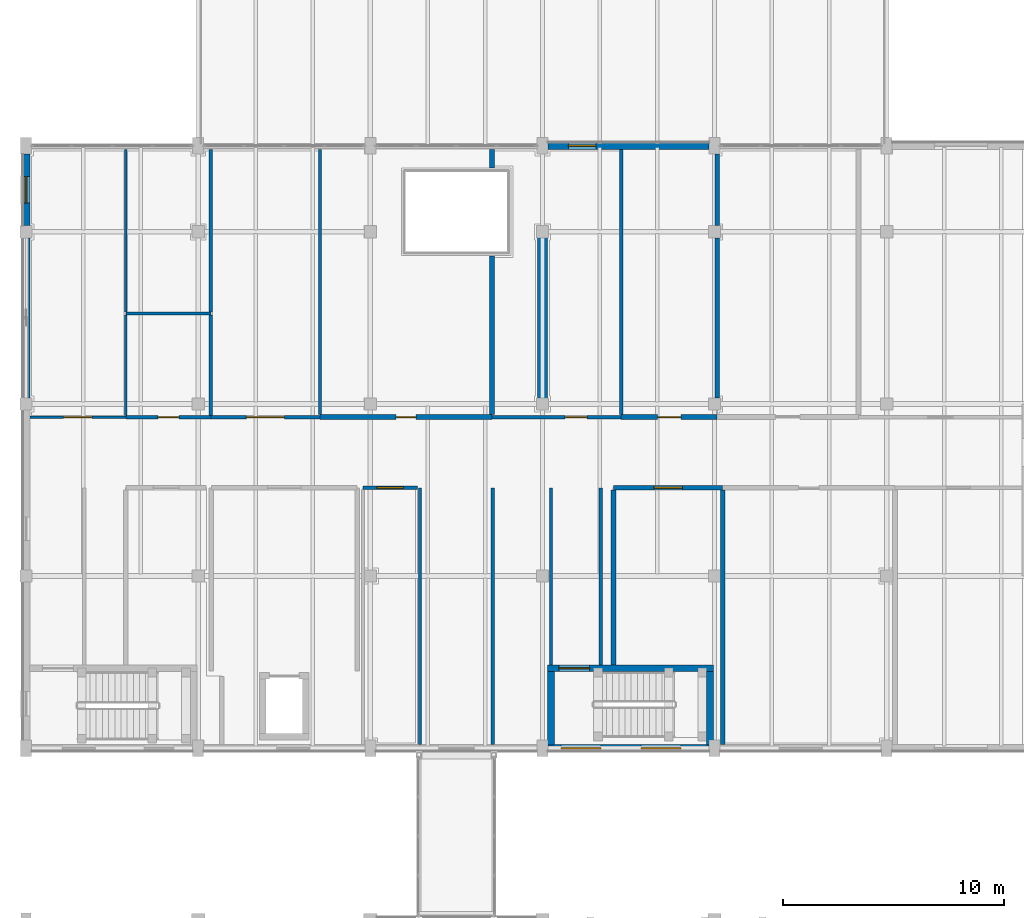
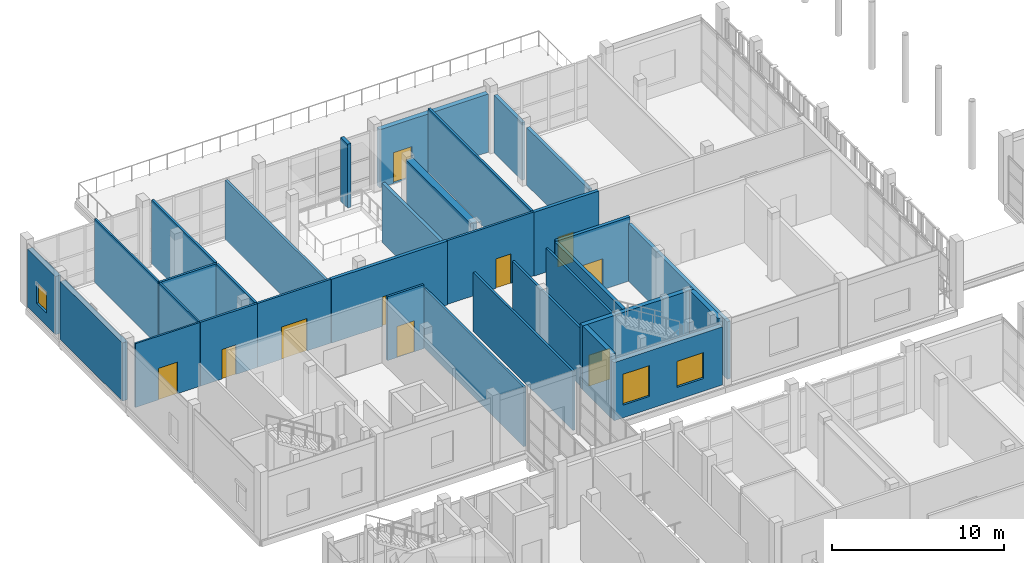
# One storey, part 103 of 138: 33 walls, 10 doors, 3 windows, 13 openings.
"""IFC4 building model written with IfcOpenShell, lengths in metres."""

from ifc_helpers import new_model, si_unit, direction, frame, frame_2d, origin, place, context, subcontext, project, spatial, rectangle, extrude, material, layer, layer_set, type_object, element, fill, save


model = new_model("IFC4")

# Units and contexts
model_context = context("Model", 3, precision=1e-05, world=origin(), true_north=direction((0.0, 1.0)))
body_context = subcontext(model_context, "Body", "Model", "MODEL_VIEW")
ifc_project = project(units=[si_unit("LENGTHUNIT", "METRE"), si_unit("AREAUNIT", "SQUARE_METRE"), si_unit("VOLUMEUNIT", "CUBIC_METRE"), si_unit("PLANEANGLEUNIT", "RADIAN"), si_unit("MASSUNIT", "GRAM", prefix="KILO")], contexts=[model_context])

# Site, building, storey
site_placement = place(None, origin())
site = spatial("IfcSite", under=ifc_project, at=site_placement, CompositionType="ELEMENT")
building_placement = place(site_placement, origin())
building = spatial("IfcBuilding", under=site, at=building_placement, Name="Celorna Specialist Clinic", CompositionType="ELEMENT")
storey_placement = place(building_placement, frame((0.0, 0.0, 4.800048828125)))
storey = spatial("IfcBuildingStorey", under=building, at=storey_placement, Name="L01", CompositionType="ELEMENT", Elevation=4.800048828125)

# Wall
ifc_material_1 = material(Name="Concrete C40/50", Category="concrete")
ifc_layer_1 = layer(ifc_material_1, 0.449951171875, Name="Concrete C40/50")
ifc_layer_set_1 = layer_set([ifc_layer_1], Name="Concrete C40/50")
wall_type_1 = type_object("IfcWallType", Name="WT-04", PredefinedType="SHEAR", material=ifc_layer_set_1)
wall_1_placement = place(storey_placement, frame((23.39990234375, 50.85009765625, 0.0), z_axis=(0.0, 0.0, 1.0), x_axis=(0.0, 1.0, 0.0)))
element("IfcWall", 1, at=wall_1_placement, inside=storey, type_object=wall_type_1, Name="Structural RC shear wall WT-04 V2 L01", PredefinedType="SHEAR", context=body_context, shape_type="SweptSolid", body=[
    extrude(rectangle(XDim=7.5, YDim=0.449951171875, at=frame_2d((3.75, 0.0))), origin(), (0.0, 0.0, 1.0), 4.5400390625),
])

# Wall, openings, windows
ifc_material_2 = material(Name="Pero Pinheiro Lioz limestone insulated masonry", Category="masonry")
ifc_layer_2 = layer(ifc_material_2, 0.340087890625, Name="Pero Pinheiro Lioz limestone insulated masonry")
ifc_layer_set_2 = layer_set([ifc_layer_2], Name="Pero Pinheiro Lioz limestone insulated masonry")
wall_type_2 = type_object("IfcWallType", Name="WT-07", PredefinedType="STANDARD", material=ifc_layer_set_2)
wall_2_placement = place(storey_placement, frame((30.949951171875, 35.10009765625, 0.0), z_axis=(0.0, 0.0, 1.0), x_axis=(-1.0, 0.0, 0.0)))
wall_2 = element("IfcWall", 2, at=wall_2_placement, inside=storey, type_object=wall_type_2, Name="External facade wall WT-07 #120", PredefinedType="STANDARD", context=body_context, shape_type="SweptSolid", body=[
    extrude(rectangle(XDim=7.300048828125, YDim=0.340087890625, at=frame_2d((3.64990234375, 0.0))), origin(), (0.0, 0.0, 1.0), 4.139892578125),
])
opening_1_placement = place(wall_2_placement, frame((1.27490234375, 0.0, 0.89990234375)))
opening_1 = element("IfcOpeningElement", 3, at=opening_1_placement, cuts=wall_2, Name="Opening WN-13", PredefinedType="OPENING", context=body_context, shape_type="SweptSolid", body=[
    extrude(rectangle(XDim=1.800048828125, YDim=1.85009765625, at=frame_2d((0.89990234375, 0.925048828125))), frame((0.0, 0.179931640625, 0.0), z_axis=(0.0, -1.0, 0.0), x_axis=(1.0, 0.0, 0.0)), (0.0, 0.0, 1.0), 0.360107421875),
])
opening_2_placement = place(wall_2_placement, frame((4.905029296875, 0.0, 0.89990234375)))
opening_2 = element("IfcOpeningElement", 4, at=opening_2_placement, cuts=wall_2, Name="Opening WN-14", PredefinedType="OPENING", context=body_context, shape_type="SweptSolid", body=[
    extrude(rectangle(XDim=1.800048828125, YDim=2.199951171875, at=frame_2d((0.89990234375, 1.10009765625))), frame((0.0, 0.179931640625, 0.0), z_axis=(0.0, -1.0, 0.0), x_axis=(1.0, 0.0, 0.0)), (0.0, 0.0, 1.0), 0.360107421875),
])
ifc_material_3 = material(Name="Thermally broken aluminium triple-glazed window", Category="aluminium")
window_type_1 = type_object("IfcWindowType", Name="WN-13", PartitioningType="SINGLE_PANEL", PredefinedType="WINDOW", material=ifc_material_3)
window_1_placement = place(opening_1_placement, origin())
window_1 = element("IfcWindow", 5, at=window_1_placement, inside=storey, type_object=window_type_1, Name="Facade window WN-13 #31", OverallHeight=1.85009765625, OverallWidth=1.800048828125, PartitioningType="SINGLE_PANEL", PredefinedType="WINDOW", context=body_context, shape_type="SweptSolid", body=[
    extrude(rectangle(XDim=1.800048828125, YDim=1.85009765625, at=frame_2d((0.89990234375, 0.925048828125))), frame((0.0, 0.030029296875, 0.0), z_axis=(0.0, -1.0, 0.0), x_axis=(1.0, 0.0, 0.0)), (0.0, 0.0, 1.0), 0.06005859375),
])
fill(opening_1, window_1)
window_type_2 = type_object("IfcWindowType", Name="WN-14", PartitioningType="SINGLE_PANEL", PredefinedType="WINDOW", material=ifc_material_3)
window_2_placement = place(opening_2_placement, origin())
window_2 = element("IfcWindow", 6, at=window_2_placement, inside=storey, type_object=window_type_2, Name="Facade window WN-14 #32", OverallHeight=2.199951171875, OverallWidth=1.800048828125, PartitioningType="SINGLE_PANEL", PredefinedType="WINDOW", context=body_context, shape_type="SweptSolid", body=[
    extrude(rectangle(XDim=1.800048828125, YDim=2.199951171875, at=frame_2d((0.89990234375, 1.10009765625))), frame((0.0, 0.030029296875, 0.0), z_axis=(0.0, -1.0, 0.0), x_axis=(1.0, 0.0, 0.0)), (0.0, 0.0, 1.0), 0.06005859375),
])
fill(opening_2, window_2)

# Wall, opening, door
wall_3_placement = place(storey_placement, frame((23.64990234375, 62.39990234375, 0.0), z_axis=(0.0, 0.0, 1.0), x_axis=(1.0, 0.0, 0.0)))
wall_3 = element("IfcWall", 7, at=wall_3_placement, inside=storey, type_object=wall_type_2, Name="External facade wall WT-07 #123", PredefinedType="STANDARD", context=body_context, shape_type="SweptSolid", body=[
    extrude(rectangle(XDim=7.300048828125, YDim=0.340087890625, at=frame_2d((3.64990234375, 0.0))), origin(), (0.0, 0.0, 1.0), 4.139892578125),
])
opening_3_placement = place(wall_3_placement, frame((0.925048828125, 0.0, 0.0)))
opening_3 = element("IfcOpeningElement", 8, at=opening_3_placement, cuts=wall_3, Name="Opening DR-13", PredefinedType="OPENING", context=body_context, shape_type="SweptSolid", body=[
    extrude(rectangle(XDim=1.25, YDim=2.199951171875, at=frame_2d((0.625, 1.10009765625))), frame((0.0, 0.179931640625, 0.0), z_axis=(0.0, -1.0, 0.0), x_axis=(1.0, 0.0, 0.0)), (0.0, 0.0, 1.0), 0.360107421875),
])
ifc_material_4 = material(Name="Thermally broken glazed terrace door")
door_type_1 = type_object("IfcDoorType", Name="DR-13", OperationType="NOTDEFINED", PredefinedType="DOOR", material=ifc_material_4)
door_1_placement = place(opening_3_placement, frame((1.25, 0.0, 0.0), z_axis=(0.0, 0.0, 1.0), x_axis=(-1.0, 0.0, 0.0)))
door_1 = element("IfcDoor", 9, at=door_1_placement, inside=storey, type_object=door_type_1, Name="Terrace access door TER-V2-L01", OperationType="SINGLE_SWING_RIGHT", OverallHeight=2.199951171875, OverallWidth=1.25, PredefinedType="DOOR", context=body_context, shape_type="SweptSolid", body=[
    extrude(rectangle(XDim=1.25, YDim=2.199951171875, at=frame_2d((0.625, 1.10009765625))), frame((0.0, 0.02490234375, 0.0), z_axis=(0.0, -1.0, 0.0), x_axis=(1.0, 0.0, 0.0)), (0.0, 0.0, 1.0), 0.050048828125),
])
fill(opening_3, door_1)

# Wall
wall_4_placement = place(storey_placement, frame((0.0, 50.97509765625, 0.0), z_axis=(0.0, 0.0, 1.0), x_axis=(0.0, 1.0, 0.0)))
element("IfcWall", 10, at=wall_4_placement, inside=storey, type_object=wall_type_2, Name="External facade wall WT-07 #127", PredefinedType="STANDARD", context=body_context, shape_type="SweptSolid", body=[
    extrude(rectangle(XDim=7.25, YDim=0.340087890625, at=frame_2d((3.625, 0.0))), origin(), (0.0, 0.0, 1.0), 4.139892578125),
])

# Wall, opening, window
wall_5_placement = place(storey_placement, frame((0.0, 58.77490234375, 0.0), z_axis=(0.0, 0.0, 1.0), x_axis=(0.0, 1.0, 0.0)))
wall_5 = element("IfcWall", 11, at=wall_5_placement, inside=storey, type_object=wall_type_2, Name="External facade wall WT-07 #128", PredefinedType="STANDARD", context=body_context, shape_type="SweptSolid", body=[
    extrude(rectangle(XDim=3.25, YDim=0.340087890625, at=frame_2d((1.625, 0.0))), origin(), (0.0, 0.0, 1.0), 4.139892578125),
])
opening_4_placement = place(wall_5_placement, frame((1.02490234375, 0.0, 0.89990234375)))
opening_4 = element("IfcOpeningElement", 12, at=opening_4_placement, cuts=wall_5, Name="Opening WN-04", PredefinedType="OPENING", context=body_context, shape_type="SweptSolid", body=[
    extrude(rectangle(XDim=1.199951171875, YDim=1.5, at=frame_2d((0.60009765625, 0.75))), frame((0.0, 0.179931640625, 0.0), z_axis=(0.0, -1.0, 0.0), x_axis=(1.0, 0.0, 0.0)), (0.0, 0.0, 1.0), 0.360107421875),
])
window_type_3 = type_object("IfcWindowType", Name="WN-04", PartitioningType="SINGLE_PANEL", PredefinedType="WINDOW", material=ifc_material_3)
window_3_placement = place(opening_4_placement, origin())
window_3 = element("IfcWindow", 13, at=window_3_placement, inside=storey, type_object=window_type_3, Name="Facade window WN-04 #38", OverallHeight=1.5, OverallWidth=1.199951171875, PartitioningType="SINGLE_PANEL", PredefinedType="WINDOW", context=body_context, shape_type="SweptSolid", body=[
    extrude(rectangle(XDim=1.199951171875, YDim=1.5, at=frame_2d((0.60009765625, 0.75))), frame((0.0, 0.030029296875, 0.0), z_axis=(0.0, -1.0, 0.0), x_axis=(1.0, 0.0, 0.0)), (0.0, 0.0, 1.0), 0.06005859375),
])
fill(opening_4, window_3)

# Wall, opening, door
ifc_material_5 = material(Name="Concrete C35/45", Category="concrete")
ifc_layer_3 = layer(ifc_material_5, 0.300048828125, Name="Concrete C35/45")
ifc_layer_set_3 = layer_set([ifc_layer_3], Name="Concrete C35/45")
wall_type_3 = type_object("IfcWallType", Name="WT-08", PredefinedType="SHEAR", material=ifc_layer_set_3)
wall_6_placement = place(storey_placement, frame((31.139892578125, 38.72998046875, 0.0), z_axis=(0.0, 0.0, 1.0), x_axis=(-1.0, 0.0, 0.0)))
wall_6 = element("IfcWall", 14, at=wall_6_placement, inside=storey, type_object=wall_type_3, Name="Stair ST-07 RC core wall L01 north", PredefinedType="SHEAR", context=body_context, shape_type="SweptSolid", body=[
    extrude(rectangle(XDim=7.5, YDim=0.300048828125, at=frame_2d((3.75, 0.0))), origin(), (0.0, 0.0, 1.0), 4.5400390625),
])
opening_5_placement = place(wall_6_placement, frame((5.60009765625, 0.0, 0.0)))
opening_5 = element("IfcOpeningElement", 15, at=opening_5_placement, cuts=wall_6, Name="Opening DR-10", PredefinedType="OPENING", context=body_context, shape_type="SweptSolid", body=[
    extrude(rectangle(XDim=1.39990234375, YDim=2.199951171875, at=frame_2d((0.699951171875, 1.10009765625))), frame((0.0, 0.159912109375, 0.0), z_axis=(0.0, -1.0, 0.0), x_axis=(1.0, 0.0, 0.0)), (0.0, 0.0, 1.0), 0.320068359375),
])
ifc_material_6 = material(Name="Protected exit stair fire door")
door_type_2 = type_object("IfcDoorType", Name="DR-10", OperationType="NOTDEFINED", PredefinedType="DOOR", material=ifc_material_6)
door_2_placement = place(opening_5_placement, origin())
door_2 = element("IfcDoor", 16, at=door_2_placement, inside=storey, type_object=door_type_2, Name="Protected exit stair door ST-07 L01", OperationType="SINGLE_SWING_RIGHT", OverallHeight=2.199951171875, OverallWidth=1.39990234375, PredefinedType="DOOR", context=body_context, shape_type="SweptSolid", body=[
    extrude(rectangle(XDim=1.39990234375, YDim=2.199951171875, at=frame_2d((0.699951171875, 1.10009765625))), frame((0.0, 0.02490234375, 0.0), z_axis=(0.0, -1.0, 0.0), x_axis=(1.0, 0.0, 0.0)), (0.0, 0.0, 1.0), 0.050048828125),
])
fill(opening_5, door_2)

# Walls
for number, where, z_axis, x_axis, name in (
    (17, (23.7900390625, 38.580078125, 0.0), (0.0, 0.0, 1.0), (0.0, -1.0, 0.0), "Stair ST-07 RC core wall L01 west"),
    (18, (30.989990234375, 35.25, 0.0), (0.0, 0.0, 1.0), (0.0, 1.0, 0.0), "Stair ST-07 RC core wall L01 east"),
):
    element("IfcWall", number, at=place(storey_placement, frame(where, z_axis=z_axis, x_axis=x_axis)), inside=storey, type_object=wall_type_3, Name=name, PredefinedType="SHEAR", context=body_context, shape_type="SweptSolid", body=[
        extrude(rectangle(XDim=3.330078125, YDim=0.300048828125, at=frame_2d((1.6650390625, 0.0))), origin(), (0.0, 0.0, 1.0), 4.5400390625),
    ])

# Wall, opening, door
ifc_material_7 = material(Name="Lead-lined gypsum and masonry partition", Category="masonry")
ifc_layer_4 = layer(ifc_material_7, 0.219970703125, Name="Lead-lined gypsum and masonry partition")
ifc_layer_set_4 = layer_set([ifc_layer_4], Name="Lead-lined gypsum and masonry partition")
wall_type_4 = type_object("IfcWallType", Name="WT-11", PredefinedType="PARTITIONING", material=ifc_layer_set_4)
wall_7_placement = place(storey_placement, frame((31.570068359375, 46.89990234375, 0.0), z_axis=(0.0, 0.0, 1.0), x_axis=(-1.0, 0.0, 0.0)))
wall_7 = element("IfcWall", 19, at=wall_7_placement, inside=storey, type_object=wall_type_4, Name="Interior partition WT-11 L01-026", PredefinedType="PARTITIONING", context=body_context, shape_type="SweptSolid", body=[
    extrude(rectangle(XDim=4.949951171875, YDim=0.219970703125, at=frame_2d((2.47509765625, 0.0))), origin(), (0.0, 0.0, 1.0), 4.5400390625),
])
opening_6_placement = place(wall_7_placement, frame((1.824951171875, 0.0, 0.0)))
opening_6 = element("IfcOpeningElement", 20, at=opening_6_placement, cuts=wall_7, Name="Opening DR-09", PredefinedType="OPENING", context=body_context, shape_type="SweptSolid", body=[
    extrude(rectangle(XDim=1.300048828125, YDim=2.199951171875, at=frame_2d((0.64990234375, 1.10009765625))), frame((0.0, 0.119873046875, 0.0), z_axis=(0.0, -1.0, 0.0), x_axis=(1.0, 0.0, 0.0)), (0.0, 0.0, 1.0), 0.239990234375),
])
ifc_material_8 = material(Name="Lead-lined radiology room door")
door_type_3 = type_object("IfcDoorType", Name="DR-09", OperationType="NOTDEFINED", PredefinedType="DOOR", material=ifc_material_8)
door_3_placement = place(opening_6_placement, origin())
door_3 = element("IfcDoor", 21, at=door_3_placement, inside=storey, type_object=door_type_3, Name="Mammography Diagnostic Suite door L01-026", OperationType="SINGLE_SWING_RIGHT", OverallHeight=2.199951171875, OverallWidth=1.300048828125, PredefinedType="DOOR", context=body_context, shape_type="SweptSolid", body=[
    extrude(rectangle(XDim=1.300048828125, YDim=2.199951171875, at=frame_2d((0.64990234375, 1.10009765625))), frame((0.0, 0.02490234375, 0.0), z_axis=(0.0, -1.0, 0.0), x_axis=(1.0, 0.0, 0.0)), (0.0, 0.0, 1.0), 0.050048828125),
])
fill(opening_6, door_3)

wall_8_placement = place(storey_placement, frame((13.320068359375, 50.10009765625, 0.0), z_axis=(0.0, 0.0, 1.0), x_axis=(1.0, 0.0, 0.0)))
wall_8 = element("IfcWall", 22, at=wall_8_placement, inside=storey, type_object=wall_type_4, Name="Interior partition WT-11 L01-032", PredefinedType="PARTITIONING", context=body_context, shape_type="SweptSolid", body=[
    extrude(rectangle(XDim=7.800048828125, YDim=0.219970703125, at=frame_2d((3.89990234375, 0.0))), origin(), (0.0, 0.0, 1.0), 4.5400390625),
])
opening_7_placement = place(wall_8_placement, frame((3.449951171875, 0.0, 0.0)))
opening_7 = element("IfcOpeningElement", 23, at=opening_7_placement, cuts=wall_8, Name="Opening DR-02", PredefinedType="OPENING", context=body_context, shape_type="SweptSolid", body=[
    extrude(rectangle(XDim=0.89990234375, YDim=2.10009765625, at=frame_2d((0.449951171875, 1.050048828125))), frame((0.0, 0.119873046875, 0.0), z_axis=(0.0, -1.0, 0.0), x_axis=(1.0, 0.0, 0.0)), (0.0, 0.0, 1.0), 0.239990234375),
])
ifc_material_9 = material(Name="Timber acoustic clinical door", Category="wood")
door_type_4 = type_object("IfcDoorType", Name="DR-02", OperationType="NOTDEFINED", PredefinedType="DOOR", material=ifc_material_9)
door_4_placement = place(opening_7_placement, origin())
door_4 = element("IfcDoor", 24, at=door_4_placement, inside=storey, type_object=door_type_4, Name="Digital Radiography X-Ray Room door L01-032", OperationType="SINGLE_SWING_RIGHT", OverallHeight=2.10009765625, OverallWidth=0.89990234375, PredefinedType="DOOR", context=body_context, shape_type="SweptSolid", body=[
    extrude(rectangle(XDim=0.89990234375, YDim=2.10009765625, at=frame_2d((0.449951171875, 1.050048828125))), frame((0.0, 0.02490234375, 0.0), z_axis=(0.0, -1.0, 0.0), x_axis=(1.0, 0.0, 0.0)), (0.0, 0.0, 1.0), 0.050048828125),
])
fill(opening_7, door_4)

wall_9_placement = place(storey_placement, frame((26.969970703125, 50.10009765625, 0.0), z_axis=(0.0, 0.0, 1.0), x_axis=(1.0, 0.0, 0.0)))
wall_9 = element("IfcWall", 25, at=wall_9_placement, inside=storey, type_object=wall_type_4, Name="Interior partition WT-11 L01-034", PredefinedType="PARTITIONING", context=body_context, shape_type="SweptSolid", body=[
    extrude(rectangle(XDim=4.35009765625, YDim=0.219970703125, at=frame_2d((2.175048828125, 0.0))), origin(), (0.0, 0.0, 1.0), 4.5400390625),
])
opening_8_placement = place(wall_9_placement, frame((1.64990234375, 0.0, 0.0)))
opening_8 = element("IfcOpeningElement", 26, at=opening_8_placement, cuts=wall_9, Name="Opening DR-05", PredefinedType="OPENING", context=body_context, shape_type="SweptSolid", body=[
    extrude(rectangle(XDim=1.050048828125, YDim=2.14990234375, at=frame_2d((0.52490234375, 1.074951171875))), frame((0.0, 0.119873046875, 0.0), z_axis=(0.0, -1.0, 0.0), x_axis=(1.0, 0.0, 0.0)), (0.0, 0.0, 1.0), 0.239990234375),
])
ifc_material_10 = material(Name="Timber examination room door", Category="wood")
door_type_5 = type_object("IfcDoorType", Name="DR-05", OperationType="NOTDEFINED", PredefinedType="DOOR", material=ifc_material_10)
door_5_placement = place(opening_8_placement, origin())
door_5 = element("IfcDoor", 27, at=door_5_placement, inside=storey, type_object=door_type_5, Name="Mammography Diagnostic Suite door L01-034", OperationType="SINGLE_SWING_RIGHT", OverallHeight=2.14990234375, OverallWidth=1.050048828125, PredefinedType="DOOR", context=body_context, shape_type="SweptSolid", body=[
    extrude(rectangle(XDim=1.050048828125, YDim=2.14990234375, at=frame_2d((0.52490234375, 1.074951171875))), frame((0.0, 0.02490234375, 0.0), z_axis=(0.0, -1.0, 0.0), x_axis=(1.0, 0.0, 0.0)), (0.0, 0.0, 1.0), 0.050048828125),
])
fill(opening_8, door_5)

# Walls
wall_10_placement = place(storey_placement, frame((26.6201171875, 38.8798828125, 0.0), z_axis=(0.0, 0.0, 1.0), x_axis=(0.0, 1.0, 0.0)))
element("IfcWall", 28, at=wall_10_placement, inside=storey, type_object=wall_type_4, Name="Room dividing partition WT-11 L01-026", PredefinedType="PARTITIONING", context=body_context, shape_type="SweptSolid", body=[
    extrude(rectangle(XDim=7.91015625, YDim=0.219970703125, at=frame_2d((3.955078125, 0.0))), origin(), (0.0, 0.0, 1.0), 4.5400390625),
])
wall_11_placement = place(storey_placement, frame((31.570068359375, 35.27001953125, 0.0), z_axis=(0.0, 0.0, 1.0), x_axis=(0.0, 1.0, 0.0)))
element("IfcWall", 29, at=wall_11_placement, inside=storey, type_object=wall_type_4, Name="Room dividing partition WT-11 L01-026", PredefinedType="PARTITIONING", context=body_context, shape_type="SweptSolid", body=[
    extrude(rectangle(XDim=11.52001953125, YDim=0.219970703125, at=frame_2d((5.760009765625, 0.0))), origin(), (0.0, 0.0, 1.0), 4.08984375),
])
wall_12_placement = place(storey_placement, frame((21.1201171875, 50.2099609375, 0.0), z_axis=(0.0, 0.0, 1.0), x_axis=(0.0, 1.0, 0.0)))
element("IfcWall", 30, at=wall_12_placement, inside=storey, type_object=wall_type_4, Name="Room dividing partition WT-11 L01-032", PredefinedType="PARTITIONING", context=body_context, shape_type="SweptSolid", body=[
    extrude(rectangle(XDim=7.18994140625, YDim=0.219970703125, at=frame_2d((3.594970703125, 0.0))), origin(), (0.0, 0.0, 1.0), 4.2099609375),
])
wall_13_placement = place(storey_placement, frame((21.1201171875, 61.39990234375, 0.0), z_axis=(0.0, 0.0, 1.0), x_axis=(0.0, 1.0, 0.0)))
element("IfcWall", 31, at=wall_13_placement, inside=storey, type_object=wall_type_4, Name="Room dividing partition WT-11 L01-032", PredefinedType="PARTITIONING", context=body_context, shape_type="SweptSolid", body=[
    extrude(rectangle(XDim=0.830078125, YDim=0.219970703125, at=frame_2d((0.4150390625, 0.0))), origin(), (0.0, 0.0, 1.0), 4.5400390625),
])
wall_14_placement = place(storey_placement, frame((31.320068359375, 50.97509765625, 0.0), z_axis=(0.0, 0.0, 1.0), x_axis=(0.0, 1.0, 0.0)))
element("IfcWall", 32, at=wall_14_placement, inside=storey, type_object=wall_type_4, Name="Room dividing partition WT-11 L01-034", PredefinedType="PARTITIONING", context=body_context, shape_type="SweptSolid", body=[
    extrude(rectangle(XDim=7.25, YDim=0.219970703125, at=frame_2d((3.625, 0.0))), origin(), (0.0, 0.0, 1.0), 4.08984375),
])
wall_15_placement = place(storey_placement, frame((31.320068359375, 58.77490234375, 0.0), z_axis=(0.0, 0.0, 1.0), x_axis=(0.0, 1.0, 0.0)))
element("IfcWall", 33, at=wall_15_placement, inside=storey, type_object=wall_type_4, Name="Room dividing partition WT-11 L01-034", PredefinedType="PARTITIONING", context=body_context, shape_type="SweptSolid", body=[
    extrude(rectangle(XDim=3.25, YDim=0.219970703125, at=frame_2d((1.625, 0.0))), origin(), (0.0, 0.0, 1.0), 4.08984375),
])
ifc_material_11 = material(Name="Fire-rated gypsum board partition")
ifc_layer_5 = layer(ifc_material_11, 0.14990234375, Name="Fire-rated gypsum board partition")
ifc_layer_set_5 = layer_set([ifc_layer_5], Name="Fire-rated gypsum board partition")
wall_type_5 = type_object("IfcWallType", Name="WT-14", PredefinedType="PARTITIONING", material=ifc_layer_set_5)
wall_16_placement = place(storey_placement, frame((23.7900390625, 38.8798828125, 0.0), z_axis=(0.0, 0.0, 1.0), x_axis=(0.0, 1.0, 0.0)))
element("IfcWall", 34, at=wall_16_placement, inside=storey, type_object=wall_type_5, Name="Corridor spur partition WT-14", PredefinedType="PARTITIONING", context=body_context, shape_type="SweptSolid", body=[
    extrude(rectangle(XDim=8.02001953125, YDim=0.14990234375, at=frame_2d((4.010009765625, 0.0))), origin(), (0.0, 0.0, 1.0), 4.08984375),
])
wall_17_placement = place(storey_placement, frame((26.0400390625, 38.8798828125, 0.0), z_axis=(0.0, 0.0, 1.0), x_axis=(0.0, 1.0, 0.0)))
element("IfcWall", 35, at=wall_17_placement, inside=storey, type_object=wall_type_5, Name="Corridor spur partition WT-14", PredefinedType="PARTITIONING", context=body_context, shape_type="SweptSolid", body=[
    extrude(rectangle(XDim=8.02001953125, YDim=0.14990234375, at=frame_2d((4.010009765625, 0.0))), origin(), (0.0, 0.0, 1.0), 4.2099609375),
])
for number, where, z_axis, x_axis, name in (
    (36, (17.85009765625, 35.27001953125, 0.0), (0.0, 0.0, 1.0), (0.0, 1.0, 0.0), "Corridor spur partition WT-14"),
    (37, (21.14990234375, 35.27001953125, 0.0), (0.0, 0.0, 1.0), (0.0, 1.0, 0.0), "Corridor spur partition WT-14"),
):
    element("IfcWall", number, at=place(storey_placement, frame(where, z_axis=z_axis, x_axis=x_axis)), inside=storey, type_object=wall_type_5, Name=name, PredefinedType="PARTITIONING", context=body_context, shape_type="SweptSolid", body=[
        extrude(rectangle(XDim=11.6298828125, YDim=0.14990234375, at=frame_2d((5.81494140625, 0.0))), origin(), (0.0, 0.0, 1.0), 4.2099609375),
    ])

# Wall, opening, door
wall_18_placement = place(storey_placement, frame((17.72998046875, 46.89990234375, 0.0), z_axis=(0.0, 0.0, 1.0), x_axis=(-1.0, 0.0, 0.0)))
wall_18 = element("IfcWall", 38, at=wall_18_placement, inside=storey, type_object=wall_type_5, Name="Interior partition WT-14 L01-025", PredefinedType="PARTITIONING", context=body_context, shape_type="SweptSolid", body=[
    extrude(rectangle(XDim=2.4599609375, YDim=0.14990234375, at=frame_2d((1.22998046875, 0.0))), origin(), (0.0, 0.0, 1.0), 4.5400390625),
])
opening_9_placement = place(wall_18_placement, frame((0.6298828125, 0.0, 0.0)))
opening_9 = element("IfcOpeningElement", 39, at=opening_9_placement, cuts=wall_18, Name="Opening DR-08", PredefinedType="OPENING", context=body_context, shape_type="SweptSolid", body=[
    extrude(rectangle(XDim=1.199951171875, YDim=2.199951171875, at=frame_2d((0.60009765625, 1.10009765625))), frame((0.0, 0.0849609375, 0.0), z_axis=(0.0, -1.0, 0.0), x_axis=(1.0, 0.0, 0.0)), (0.0, 0.0, 1.0), 0.169921875),
])
ifc_material_12 = material(Name="Stretcher-width clinical door")
door_type_6 = type_object("IfcDoorType", Name="DR-08", OperationType="NOTDEFINED", PredefinedType="DOOR", material=ifc_material_12)
door_6_placement = place(opening_9_placement, origin())
door_6 = element("IfcDoor", 40, at=door_6_placement, inside=storey, type_object=door_type_6, Name="Ultrasound Imaging Room door L01-025", OperationType="SINGLE_SWING_LEFT", OverallHeight=2.199951171875, OverallWidth=1.199951171875, PredefinedType="DOOR", context=body_context, shape_type="SweptSolid", body=[
    extrude(rectangle(XDim=1.199951171875, YDim=2.199951171875, at=frame_2d((0.60009765625, 1.10009765625))), frame((0.0, 0.02490234375, 0.0), z_axis=(0.0, -1.0, 0.0), x_axis=(1.0, 0.0, 0.0)), (0.0, 0.0, 1.0), 0.050048828125),
])
fill(opening_9, door_6)

wall_19_placement = place(storey_placement, frame((4.52001953125, 50.10009765625, 0.0), z_axis=(0.0, 0.0, 1.0), x_axis=(1.0, 0.0, 0.0)))
wall_19 = element("IfcWall", 41, at=wall_19_placement, inside=storey, type_object=wall_type_5, Name="Interior partition WT-14 L01-030", PredefinedType="PARTITIONING", context=body_context, shape_type="SweptSolid", body=[
    extrude(rectangle(XDim=3.85009765625, YDim=0.14990234375, at=frame_2d((1.925048828125, 0.0))), origin(), (0.0, 0.0, 1.0), 4.5400390625),
])
opening_10_placement = place(wall_19_placement, frame((1.449951171875, 0.0, 0.0)))
opening_10 = element("IfcOpeningElement", 42, at=opening_10_placement, cuts=wall_19, Name="Opening DR-03", PredefinedType="OPENING", context=body_context, shape_type="SweptSolid", body=[
    extrude(rectangle(XDim=0.949951171875, YDim=2.10009765625, at=frame_2d((0.47509765625, 1.050048828125))), frame((0.0, 0.0849609375, 0.0), z_axis=(0.0, -1.0, 0.0), x_axis=(1.0, 0.0, 0.0)), (0.0, 0.0, 1.0), 0.169921875),
])
ifc_material_13 = material(Name="Moisture-resistant accessible WC door")
door_type_7 = type_object("IfcDoorType", Name="DR-03", OperationType="NOTDEFINED", PredefinedType="DOOR", material=ifc_material_13)
door_7_placement = place(opening_10_placement, origin())
door_7 = element("IfcDoor", 43, at=door_7_placement, inside=storey, type_object=door_type_7, Name="Accessible WC door L01-030", OperationType="SINGLE_SWING_RIGHT", OverallHeight=2.10009765625, OverallWidth=0.949951171875, PredefinedType="DOOR", context=body_context, shape_type="SweptSolid", body=[
    extrude(rectangle(XDim=0.949951171875, YDim=2.10009765625, at=frame_2d((0.47509765625, 1.050048828125))), frame((0.0, 0.02490234375, 0.0), z_axis=(0.0, -1.0, 0.0), x_axis=(1.0, 0.0, 0.0)), (0.0, 0.0, 1.0), 0.050048828125),
])
fill(opening_10, door_7)

# Wall
wall_20_placement = place(storey_placement, frame((4.52001953125, 54.800048828125, 0.0), z_axis=(0.0, 0.0, 1.0), x_axis=(1.0, 0.0, 0.0)))
element("IfcWall", 44, at=wall_20_placement, inside=storey, type_object=wall_type_5, Name="Sanitary suite rear partition L01-030", PredefinedType="PARTITIONING", context=body_context, shape_type="SweptSolid", body=[
    extrude(rectangle(XDim=3.85009765625, YDim=0.14990234375, at=frame_2d((1.925048828125, 0.0))), origin(), (0.0, 0.0, 1.0), 4.5400390625),
])

# Wall, opening, door
wall_21_placement = place(storey_placement, frame((8.3701171875, 50.10009765625, 0.0), z_axis=(0.0, 0.0, 1.0), x_axis=(1.0, 0.0, 0.0)))
wall_21 = element("IfcWall", 45, at=wall_21_placement, inside=storey, type_object=wall_type_5, Name="Interior partition WT-14 L01-031", PredefinedType="PARTITIONING", context=body_context, shape_type="SweptSolid", body=[
    extrude(rectangle(XDim=4.949951171875, YDim=0.14990234375, at=frame_2d((2.47509765625, 0.0))), origin(), (0.0, 0.0, 1.0), 4.5400390625),
])
opening_11_placement = place(wall_21_placement, frame((1.614990234375, 0.0, 0.0)))
opening_11 = element("IfcOpeningElement", 46, at=opening_11_placement, cuts=wall_21, Name="Opening DR-24", PredefinedType="OPENING", context=body_context, shape_type="SweptSolid", body=[
    extrude(rectangle(XDim=1.719970703125, YDim=2.300048828125, at=frame_2d((0.85986328125, 1.14990234375))), frame((0.0, 0.0849609375, 0.0), z_axis=(0.0, -1.0, 0.0), x_axis=(1.0, 0.0, 0.0)), (0.0, 0.0, 1.0), 0.169921875),
])
ifc_material_14 = material(Name="Double leaf clinical waiting door")
door_type_8 = type_object("IfcDoorType", Name="DR-24", OperationType="DOUBLE_DOOR_SINGLE_SWING", PredefinedType="DOOR", material=ifc_material_14)
door_8_placement = place(opening_11_placement, origin())
door_8 = element("IfcDoor", 47, at=door_8_placement, inside=storey, type_object=door_type_8, Name="Ultrasound Imaging Room door L01-031", OperationType="DOUBLE_DOOR_SINGLE_SWING", OverallHeight=2.300048828125, OverallWidth=1.719970703125, PredefinedType="DOOR", context=body_context, shape_type="SweptSolid", body=[
    extrude(rectangle(XDim=1.719970703125, YDim=2.300048828125, at=frame_2d((0.85986328125, 1.14990234375))), frame((0.0, 0.02490234375, 0.0), z_axis=(0.0, -1.0, 0.0), x_axis=(1.0, 0.0, 0.0)), (0.0, 0.0, 1.0), 0.050048828125),
])
fill(opening_11, door_8)

wall_22_placement = place(storey_placement, frame((21.1201171875, 50.10009765625, 0.0), z_axis=(0.0, 0.0, 1.0), x_axis=(1.0, 0.0, 0.0)))
wall_22 = element("IfcWall", 48, at=wall_22_placement, inside=storey, type_object=wall_type_5, Name="Interior partition WT-14 L01-033", PredefinedType="PARTITIONING", context=body_context, shape_type="SweptSolid", body=[
    extrude(rectangle(XDim=5.849853515625, YDim=0.14990234375, at=frame_2d((2.9248046875, 0.0))), origin(), (0.0, 0.0, 1.0), 4.5400390625),
])
opening_12_placement = place(wall_22_placement, frame((3.302490234375, 0.0, 0.0)))
opening_12 = element("IfcOpeningElement", 49, at=opening_12_placement, cuts=wall_22, Name="Opening DR-04", PredefinedType="OPENING", context=body_context, shape_type="SweptSolid", body=[
    extrude(rectangle(XDim=1.0, YDim=2.10009765625, at=frame_2d((0.5, 1.050048828125))), frame((0.0, 0.0849609375, 0.0), z_axis=(0.0, -1.0, 0.0), x_axis=(1.0, 0.0, 0.0)), (0.0, 0.0, 1.0), 0.169921875),
])
ifc_material_15 = material(Name="Timber consultation suite door", Category="wood")
door_type_9 = type_object("IfcDoorType", Name="DR-04", OperationType="NOTDEFINED", PredefinedType="DOOR", material=ifc_material_15)
door_9_placement = place(opening_12_placement, origin())
door_9 = element("IfcDoor", 50, at=door_9_placement, inside=storey, type_object=door_type_9, Name="Ultrasound Imaging Room door L01-033", OperationType="SINGLE_SWING_LEFT", OverallHeight=2.10009765625, OverallWidth=1.0, PredefinedType="DOOR", context=body_context, shape_type="SweptSolid", body=[
    extrude(rectangle(XDim=1.0, YDim=2.10009765625, at=frame_2d((0.5, 1.050048828125))), frame((0.0, 0.02490234375, 0.0), z_axis=(0.0, -1.0, 0.0), x_axis=(1.0, 0.0, 0.0)), (0.0, 0.0, 1.0), 0.050048828125),
])
fill(opening_12, door_9)

# Walls
wall_23_placement = place(storey_placement, frame((8.3701171875, 50.175048828125, 0.0), z_axis=(0.0, 0.0, 1.0), x_axis=(0.0, 1.0, 0.0)))
element("IfcWall", 51, at=wall_23_placement, inside=storey, type_object=wall_type_5, Name="Room dividing partition WT-14 L01-030", PredefinedType="PARTITIONING", context=body_context, shape_type="SweptSolid", body=[
    extrude(rectangle(XDim=4.550048828125, YDim=0.14990234375, at=frame_2d((2.27490234375, 0.0))), origin(), (0.0, 0.0, 1.0), 4.5400390625),
])
wall_24_placement = place(storey_placement, frame((8.3701171875, 54.875, 0.0), z_axis=(0.0, 0.0, 1.0), x_axis=(0.0, 1.0, 0.0)))
element("IfcWall", 52, at=wall_24_placement, inside=storey, type_object=wall_type_5, Name="Room dividing partition WT-14 L01-031", PredefinedType="PARTITIONING", context=body_context, shape_type="SweptSolid", body=[
    extrude(rectangle(XDim=7.35498046875, YDim=0.14990234375, at=frame_2d((3.677490234375, 0.0))), origin(), (0.0, 0.0, 1.0), 4.5400390625),
])
wall_25_placement = place(storey_placement, frame((13.320068359375, 50.2099609375, 0.0), z_axis=(0.0, 0.0, 1.0), x_axis=(0.0, 1.0, 0.0)))
element("IfcWall", 53, at=wall_25_placement, inside=storey, type_object=wall_type_5, Name="Room dividing partition WT-14 L01-031", PredefinedType="PARTITIONING", context=body_context, shape_type="SweptSolid", body=[
    extrude(rectangle(XDim=12.02001953125, YDim=0.14990234375, at=frame_2d((6.010009765625, 0.0))), origin(), (0.0, 0.0, 1.0), 4.2099609375),
])
wall_26_placement = place(storey_placement, frame((26.969970703125, 50.2099609375, 0.0), z_axis=(0.0, 0.0, 1.0), x_axis=(0.0, 1.0, 0.0)))
element("IfcWall", 54, at=wall_26_placement, inside=storey, type_object=wall_type_5, Name="Room dividing partition WT-14 L01-033", PredefinedType="PARTITIONING", context=body_context, shape_type="SweptSolid", body=[
    extrude(rectangle(XDim=12.02001953125, YDim=0.14990234375, at=frame_2d((6.010009765625, 0.0))), origin(), (0.0, 0.0, 1.0), 4.5400390625),
])

# Wall, opening, door
ifc_material_16 = material(Name="Acoustic gypsum board partition")
ifc_layer_6 = layer(ifc_material_16, 0.1201171875, Name="Acoustic gypsum board partition")
ifc_layer_set_6 = layer_set([ifc_layer_6], Name="Acoustic gypsum board partition")
wall_type_6 = type_object("IfcWallType", Name="WT-15", PredefinedType="PARTITIONING", material=ifc_layer_set_6)
wall_27_placement = place(storey_placement, frame((0.169921875, 50.10009765625, 0.0), z_axis=(0.0, 0.0, 1.0), x_axis=(1.0, 0.0, 0.0)))
wall_27 = element("IfcWall", 55, at=wall_27_placement, inside=storey, type_object=wall_type_6, Name="Interior partition WT-15 L01-029", PredefinedType="PARTITIONING", context=body_context, shape_type="SweptSolid", body=[
    extrude(rectangle(XDim=4.35009765625, YDim=0.1201171875, at=frame_2d((2.175048828125, 0.0))), origin(), (0.0, 0.0, 1.0), 4.5400390625),
])
opening_13_placement = place(wall_27_placement, frame((1.534912109375, 0.0, 0.0)))
opening_13 = element("IfcOpeningElement", 56, at=opening_13_placement, cuts=wall_27, Name="Opening DR-22", PredefinedType="OPENING", context=body_context, shape_type="SweptSolid", body=[
    extrude(rectangle(XDim=1.280029296875, YDim=2.25, at=frame_2d((0.64013671875, 1.125))), frame((0.0, 0.070068359375, 0.0), z_axis=(0.0, -1.0, 0.0), x_axis=(1.0, 0.0, 0.0)), (0.0, 0.0, 1.0), 0.14013671875),
])
ifc_material_17 = material(Name="Diagnostic procedure room door")
door_type_10 = type_object("IfcDoorType", Name="DR-22", OperationType="NOTDEFINED", PredefinedType="DOOR", material=ifc_material_17)
door_10_placement = place(opening_13_placement, origin())
door_10 = element("IfcDoor", 57, at=door_10_placement, inside=storey, type_object=door_type_10, Name="Radiologist Reporting Studio door L01-029", OperationType="SINGLE_SWING_LEFT", OverallHeight=2.25, OverallWidth=1.280029296875, PredefinedType="DOOR", context=body_context, shape_type="SweptSolid", body=[
    extrude(rectangle(XDim=1.280029296875, YDim=2.25, at=frame_2d((0.64013671875, 1.125))), frame((0.0, 0.02490234375, 0.0), z_axis=(0.0, -1.0, 0.0), x_axis=(1.0, 0.0, 0.0)), (0.0, 0.0, 1.0), 0.050048828125),
])
fill(opening_13, door_10)

# Walls
wall_28_placement = place(storey_placement, frame((4.52001953125, 50.175048828125, 0.0), z_axis=(0.0, 0.0, 1.0), x_axis=(0.0, 1.0, 0.0)))
element("IfcWall", 58, at=wall_28_placement, inside=storey, type_object=wall_type_6, Name="Room dividing partition WT-15 L01-029", PredefinedType="PARTITIONING", context=body_context, shape_type="SweptSolid", body=[
    extrude(rectangle(XDim=4.550048828125, YDim=0.1201171875, at=frame_2d((2.27490234375, 0.0))), origin(), (0.0, 0.0, 1.0), 4.5400390625),
])
wall_29_placement = place(storey_placement, frame((4.52001953125, 54.875, 0.0), z_axis=(0.0, 0.0, 1.0), x_axis=(0.0, 1.0, 0.0)))
element("IfcWall", 59, at=wall_29_placement, inside=storey, type_object=wall_type_6, Name="Room dividing partition WT-15 L01-029", PredefinedType="PARTITIONING", context=body_context, shape_type="SweptSolid", body=[
    extrude(rectangle(XDim=7.35498046875, YDim=0.1201171875, at=frame_2d((3.677490234375, 0.0))), origin(), (0.0, 0.0, 1.0), 4.5400390625),
])

save(model, "model.ifc")
